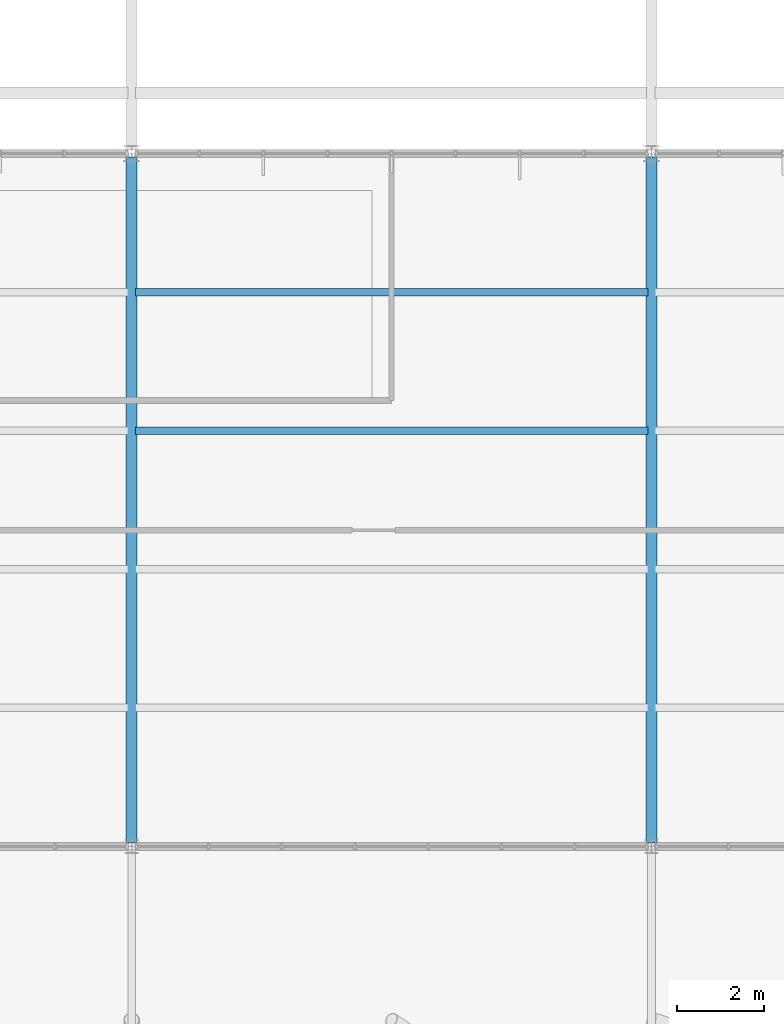
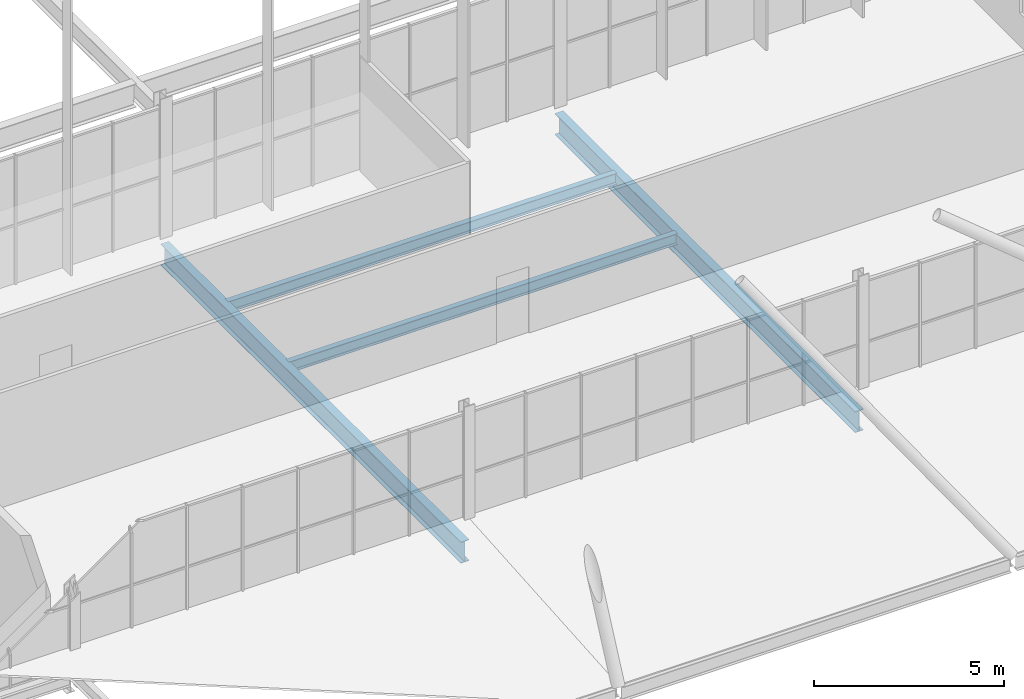
# One storey, part 192 of 324: 4 beams.
"""IFC4 building model written with IfcOpenShell, lengths in metres."""

from ifc_helpers import new_model, si_unit, direction, frame, origin, origin_2d, place, context, subcontext, project, spatial, i_section, extrude, material, material_profile, profile_set, type_object, element, save


model = new_model("IFC4")

# Units and contexts
model_context = context("Model", 3, precision=1e-05, world=origin(), true_north=direction((0.0, 1.0)))
body_context = subcontext(model_context, "Body", "Model", "MODEL_VIEW")
ifc_project = project(units=[si_unit("LENGTHUNIT", "METRE"), si_unit("AREAUNIT", "SQUARE_METRE"), si_unit("VOLUMEUNIT", "CUBIC_METRE"), si_unit("PLANEANGLEUNIT", "RADIAN"), si_unit("MASSUNIT", "GRAM", prefix="KILO")], contexts=[model_context])

# Site, building, storey
site_placement = place(None, origin())
site = spatial("IfcSite", under=ifc_project, at=site_placement, CompositionType="ELEMENT")
building_placement = place(site_placement, origin())
building = spatial("IfcBuilding", under=site, at=building_placement, Name="Solvenia Promenade Tram Depot", CompositionType="ELEMENT")
storey_placement = place(building_placement, frame((0.0, 0.0, 4.5)))
storey = spatial("IfcBuildingStorey", under=building, at=storey_placement, Name="L01", CompositionType="ELEMENT", Elevation=4.5)

# Beams
ifc_material = material(Name="Structural steel ASTM A992 Gr. 50", Category="steel")
ifc_material_profile_1 = material_profile(ifc_material, i_section(OverallWidth=0.25390625, OverallDepth=0.68408203125, WebThickness=0.012451171875, FlangeThickness=0.018798828125, FilletRadius=0.01611328125, at=origin_2d()), Name="W690x140", Category="steel")
ifc_profile_set_1 = profile_set([ifc_material_profile_1], Name="Structural steel ASTM A992 Gr. 50")
beam_type_1 = type_object("IfcBeamType", Name="Gird-W690x140", PredefinedType="BEAM", material=ifc_profile_set_1)
for number, where, z_axis, x_axis, name in (
    (1, (162.0, 8.0849609375, -0.56201171875), (0.0, 1.0, 0.0), (-1.0, 0.0, 0.0), "Transverse Girder BM-L01-0427"),
    (2, (174.0, 8.0849609375, -0.56201171875), (0.0, 1.0, 0.0), (-1.0, 0.0, 0.0), "Transverse Girder BM-L01-0428"),
):
    element("IfcBeam", number, at=place(storey_placement, frame(where, z_axis=z_axis, x_axis=x_axis)), inside=storey, type_object=beam_type_1, Name=name, PredefinedType="BEAM", context=body_context, shape_type="SweptSolid", body=[
        extrude(i_section(OverallWidth=0.25390625, OverallDepth=0.68408203125, WebThickness=0.012451171875, FlangeThickness=0.018798828125, FilletRadius=0.01611328125, at=origin_2d()), origin(), (0.0, 0.0, 1.0), 15.830078125),
    ])
ifc_material_profile_2 = material_profile(ifc_material, i_section(OverallWidth=0.172119140625, OverallDepth=0.35791015625, WebThickness=0.0078125, FlangeThickness=0.01318359375, FilletRadius=0.010986328125, at=origin_2d()), Name="W360x57", Category="steel")
ifc_profile_set_2 = profile_set([ifc_material_profile_2], Name="Structural steel ASTM A992 Gr. 50")
beam_type_2 = type_object("IfcBeamType", Name="Joist-W360x57", PredefinedType="JOIST", material=ifc_profile_set_2)
for number, where, z_axis, x_axis, name in (
    (3, (162.0849609375, 17.60009765625, -0.39892578125), (1.0, 0.0, 0.0), (0.0, 1.0, 0.0), "Secondary Floor Joist BM-L01-0442"),
    (4, (162.0849609375, 20.800048828125, -0.39892578125), (1.0, 0.0, 0.0), (0.0, 1.0, 0.0), "Secondary Floor Joist BM-L01-0443"),
):
    element("IfcBeam", number, at=place(storey_placement, frame(where, z_axis=z_axis, x_axis=x_axis)), inside=storey, type_object=beam_type_2, Name=name, PredefinedType="JOIST", context=body_context, shape_type="SweptSolid", body=[
        extrude(i_section(OverallWidth=0.172119140625, OverallDepth=0.35791015625, WebThickness=0.0078125, FlangeThickness=0.01318359375, FilletRadius=0.010986328125, at=origin_2d()), origin(), (0.0, 0.0, 1.0), 11.830078125),
    ])

save(model, "model.ifc")
